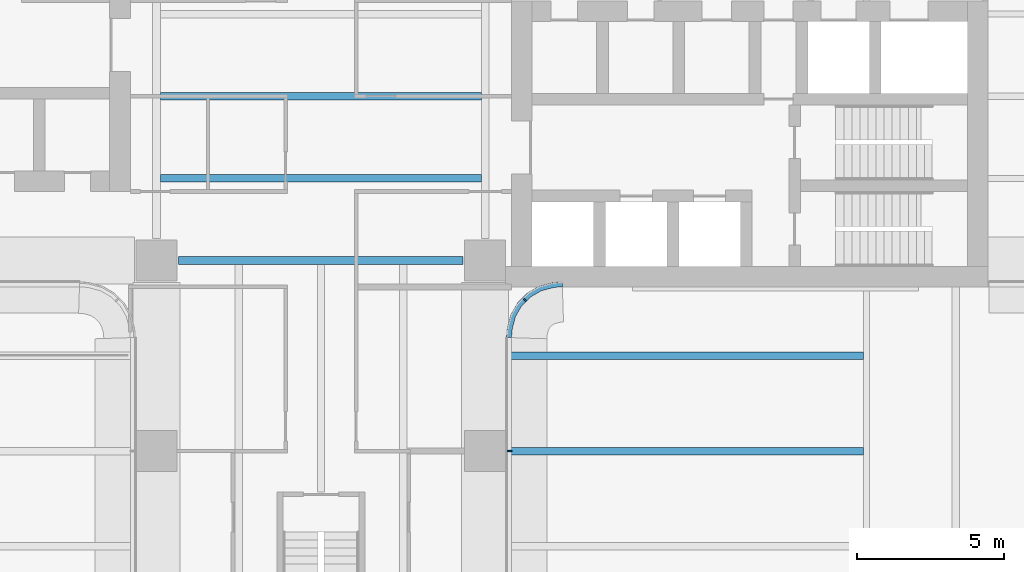
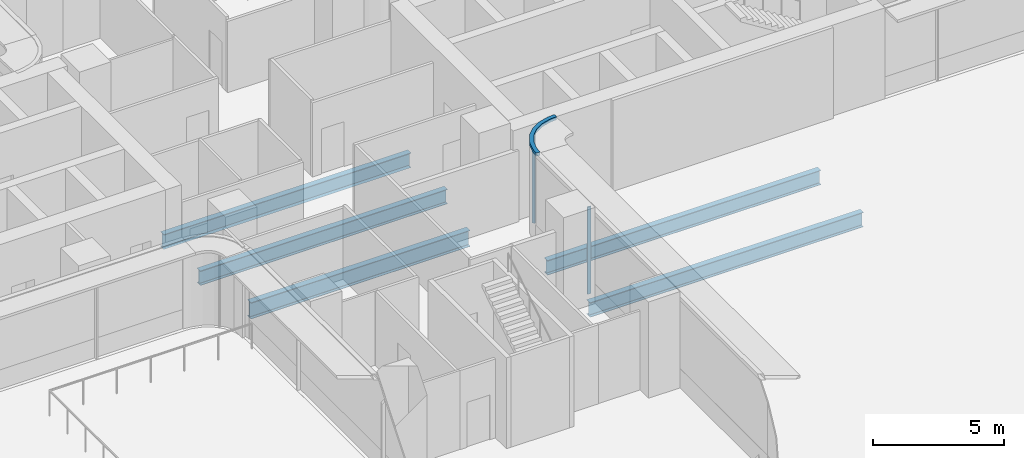
# One storey, part 7 of 29: 5 beams, 3 members, 2 elements without a shape of their own.
"""IFC4 building model written with IfcOpenShell, lengths in metres."""

from ifc_helpers import new_model, si_unit, direction, frame, origin, origin_2d, place, context, subcontext, project, spatial, polyline, rectangle, i_section, outline, extrude, source, transform, mapped, material, layer, layer_set, material_profile, profile_set, type_object, element, aggregate, save


model = new_model("IFC4")

# Units and contexts
model_context = context("Model", 3, precision=1e-05, world=origin(), true_north=direction((0.0, 1.0)))
body_context = subcontext(model_context, "Body", "Model", "MODEL_VIEW")
ifc_project = project(units=[si_unit("LENGTHUNIT", "METRE"), si_unit("AREAUNIT", "SQUARE_METRE"), si_unit("VOLUMEUNIT", "CUBIC_METRE"), si_unit("PLANEANGLEUNIT", "RADIAN"), si_unit("MASSUNIT", "GRAM", prefix="KILO")], contexts=[model_context])

# Site, building, storey
site_placement = place(None, origin())
site = spatial("IfcSite", under=ifc_project, at=site_placement, CompositionType="ELEMENT")
building_placement = place(site_placement, origin())
building = spatial("IfcBuilding", under=site, at=building_placement, Name="Trellis Farm Tower", CompositionType="ELEMENT")
storey_placement = place(building_placement, frame((0.0, 0.0, 34.0)))
storey = spatial("IfcBuildingStorey", under=building, at=storey_placement, Name="L06", CompositionType="ELEMENT", Elevation=34.0)

# Beams
ifc_material_1 = material(Name="Steel S355", Category="steel")
ifc_material_profile_1 = material_profile(ifc_material_1, i_section(OverallWidth=0.253662109375, OverallDepth=0.68359375, WebThickness=0.012451171875, FlangeThickness=0.021728515625, FilletRadius=0.01513671875, at=origin_2d()), Name="UB 686x254x140")
ifc_profile_set_1 = profile_set([ifc_material_profile_1], Name="Steel S355")
beam_type_1 = type_object("IfcBeamType", Name="UB 686x254x140 joist", PredefinedType="JOIST", material=ifc_profile_set_1)
shared_shape_1 = source(origin(), body_context, "Body", "SweptSolid", [
    extrude(i_section(OverallWidth=0.253662109375, OverallDepth=0.68359375, WebThickness=0.012451171875, FlangeThickness=0.021728515625, FilletRadius=0.01513671875, at=origin_2d()), origin(), (0.0, 0.0, 1.0), 10.93310546875),
])
for number, where, z_axis, x_axis, name in (
    (1, (-5.466552734375, -2.800048828125, -0.691650390625), (1.0, 0.0, 0.0), (0.0, 1.0, 0.0), "Floor beam"),
    (2, (-5.466552734375, 0.0, -0.691650390625), (1.0, 0.0, 0.0), (0.0, 1.0, 0.0), "Floor beam"),
):
    element("IfcBeam", number, at=place(storey_placement, frame(where, z_axis=z_axis, x_axis=x_axis)), inside=storey, type_object=beam_type_1, Name=name, PredefinedType="JOIST", context=body_context, shape_type="MappedRepresentation", body=[
        mapped(shared_shape_1, transform((0.0, 0.0, 0.0))),
    ])
ifc_material_profile_2 = material_profile(ifc_material_1, i_section(OverallWidth=0.2666015625, OverallDepth=0.76220703125, WebThickness=0.014404296875, FlangeThickness=0.021484375, FilletRadius=0.0166015625, at=origin_2d()), Name="UB 762x267x173")
ifc_profile_set_2 = profile_set([ifc_material_profile_2], Name="Steel S355")
beam_type_2 = type_object("IfcBeamType", Name="UB 762x267x173", PredefinedType="BEAM", material=ifc_profile_set_2)
shared_shape_2 = source(origin(), body_context, "Body", "SweptSolid", [
    extrude(i_section(OverallWidth=0.2666015625, OverallDepth=0.76220703125, WebThickness=0.014404296875, FlangeThickness=0.021484375, FilletRadius=0.0166015625, at=origin_2d()), origin(), (0.0, 0.0, 1.0), 9.7001953125),
])
beam_placement = place(storey_placement, frame((-4.85009765625, -5.60009765625, -0.731201171875), z_axis=(1.0, 0.0, 0.0), x_axis=(0.0, 1.0, 0.0)))
element("IfcBeam", 3, at=beam_placement, inside=storey, type_object=beam_type_2, Name="Girder", PredefinedType="BEAM", context=body_context, shape_type="MappedRepresentation", body=[
    mapped(shared_shape_2, transform((0.0, 0.0, 0.0))),
])
shared_shape_3 = source(origin(), body_context, "Body", "SweptSolid", [
    extrude(i_section(OverallWidth=0.253662109375, OverallDepth=0.68359375, WebThickness=0.012451171875, FlangeThickness=0.021728515625, FilletRadius=0.01513671875, at=origin_2d()), origin(), (0.0, 0.0, 1.0), 12.095458984375),
])
for number, where, z_axis, x_axis, name in (
    (4, (6.39990234375, -12.10009765625, -0.691650390625), (1.0, 0.0, 0.0), (0.0, 1.0, 0.0), "Floor beam"),
    (5, (6.39990234375, -8.85009765625, -0.691650390625), (1.0, 0.0, 0.0), (0.0, 1.0, 0.0), "Floor beam"),
):
    element("IfcBeam", number, at=place(storey_placement, frame(where, z_axis=z_axis, x_axis=x_axis)), inside=storey, type_object=beam_type_1, Name=name, PredefinedType="JOIST", context=body_context, shape_type="MappedRepresentation", body=[
        mapped(shared_shape_3, transform((0.0, 0.0, 0.0))),
    ])

# Curtain wall, member
ifc_material_2 = material(Name="Aluminium and glass curtain wall", Category="aluminium")
ifc_layer_1 = layer(ifc_material_2, 0.18994140625)
ifc_layer_set_1 = layer_set([ifc_layer_1], Name="RIBBON CURTAIN WALL CW1")
curtain_wall_type_1 = type_object("IfcCurtainWallType", Name="RIBBON CURTAIN WALL CW1", PredefinedType="NOTDEFINED", material=ifc_layer_set_1)
placement = place(storey_placement, origin())
curtain_wall_1 = element("IfcCurtainWall", 6, at=placement, inside=storey, type_object=curtain_wall_type_1, Name="CW1 005", PredefinedType="NOTDEFINED")
ifc_material_3 = material(Name="Aluminium extrusion 6063-T6", Category="aluminium")
ifc_material_profile_3 = material_profile(ifc_material_3, rectangle(XDim=0.06005859375, YDim=0.14990234375, at=origin_2d()), Name="MULLION 60x150")
ifc_profile_set_3 = profile_set([ifc_material_profile_3], Name="Aluminium extrusion 6063-T6")
member_type_1 = type_object("IfcMemberType", Name="CW1 MULLION 60x150", PredefinedType="MULLION", material=ifc_profile_set_3)
shared_shape_4 = source(origin(), body_context, "Body", "SweptSolid", [
    extrude(rectangle(XDim=0.06005859375, YDim=0.14990234375, at=origin_2d()), origin(), (0.0, 0.0, 1.0), 4.070068359375),
])
member_1_placement = place(storey_placement, frame((6.425048828125, -12.10009765625, 0.0), z_axis=(0.0, 0.0, 1.0), x_axis=(0.0, 1.0, 0.0)))
member_1 = element("IfcMember", 7, at=member_1_placement, type_object=member_type_1, Name="MU1 005-02", PredefinedType="MULLION", context=body_context, shape_type="MappedRepresentation", body=[
    mapped(shared_shape_4, transform((0.0, 0.0, 0.0))),
])
aggregate(curtain_wall_1, [member_1])

# Curtain wall, members
ifc_layer_2 = layer(ifc_material_2, 0.166015625)
ifc_layer_set_2 = layer_set([ifc_layer_2], Name="WINTER GARDEN CURTAIN WALL CW3")
curtain_wall_type_2 = type_object("IfcCurtainWallType", Name="WINTER GARDEN CURTAIN WALL CW3", PredefinedType="NOTDEFINED", material=ifc_layer_set_2)
curtain_wall_2 = element("IfcCurtainWall", 8, at=placement, inside=storey, type_object=curtain_wall_type_2, Name="CW3 002", PredefinedType="NOTDEFINED")
ifc_material_profile_4 = material_profile(ifc_material_3, rectangle(XDim=0.050048828125, YDim=0.1201171875, at=origin_2d()), Name="MULLION 50x120")
ifc_profile_set_4 = profile_set([ifc_material_profile_4], Name="Aluminium extrusion 6063-T6")
member_type_2 = type_object("IfcMemberType", Name="CW3 MULLION 50x120", PredefinedType="MULLION", material=ifc_profile_set_4)
shared_shape_5 = source(origin(), body_context, "Body", "SweptSolid", [
    extrude(rectangle(XDim=0.050048828125, YDim=0.1201171875, at=origin_2d()), origin(), (0.0, 0.0, 1.0), 4.10009765625),
])
member_2_placement = place(storey_placement, frame((6.953125, -6.953125, 0.0), z_axis=(0.0, 0.0, 1.0), x_axis=(0.707106781187, 0.707106781187, 0.0)))
member_2 = element("IfcMember", 9, at=member_2_placement, type_object=member_type_2, Name="MU3 002-01", PredefinedType="MULLION", context=body_context, shape_type="MappedRepresentation", body=[
    mapped(shared_shape_5, transform((0.0, 0.0, 0.0))),
])
ifc_layer_3 = layer(ifc_material_3, 0.169921875)
ifc_layer_set_3 = layer_set([ifc_layer_3], Name="Aluminium extrusion 6063-T6")
member_type_3 = type_object("IfcMemberType", Name="CW3 TRANSOM 170x150", PredefinedType="USERDEFINED", material=ifc_layer_set_3)
shared_shape_6 = source(origin(), body_context, "Body", "SweptSolid", [
    extrude(outline(polyline([(6.5, -8.2314453125), (6.513916015625, -8.01953125), (6.527587890625, -7.91552734375), (6.63671875, -7.508544921875), (6.846923828125, -7.144287109375), (7.144287109375, -6.846923828125), (7.508544921875, -6.63671875), (7.91552734375, -6.527587890625), (8.01953125, -6.513916015625), (8.2314453125, -6.5), (8.225830078125, -6.330078125), (8.0029296875, -6.3447265625), (7.88232421875, -6.360595703125), (7.44287109375, -6.478271484375), (7.0400390625, -6.7109375), (6.7109375, -7.0400390625), (6.478271484375, -7.44287109375), (6.360595703125, -7.88232421875), (6.3447265625, -8.0029296875), (6.330078125, -8.225830078125), (6.5, -8.2314453125)])), origin(), (0.0, 0.0, 1.0), 0.14990234375),
])
member_3_placement = place(storey_placement, frame((0.0, 0.0, 4.10009765625)))
member_3 = element("IfcMember", 10, at=member_3_placement, type_object=member_type_3, Name="TR3 002", ObjectType="TRANSOM", PredefinedType="USERDEFINED", context=body_context, shape_type="MappedRepresentation", body=[
    mapped(shared_shape_6, transform((0.0, 0.0, 0.0))),
])
aggregate(curtain_wall_2, [member_2, member_3])

save(model, "model.ifc")
